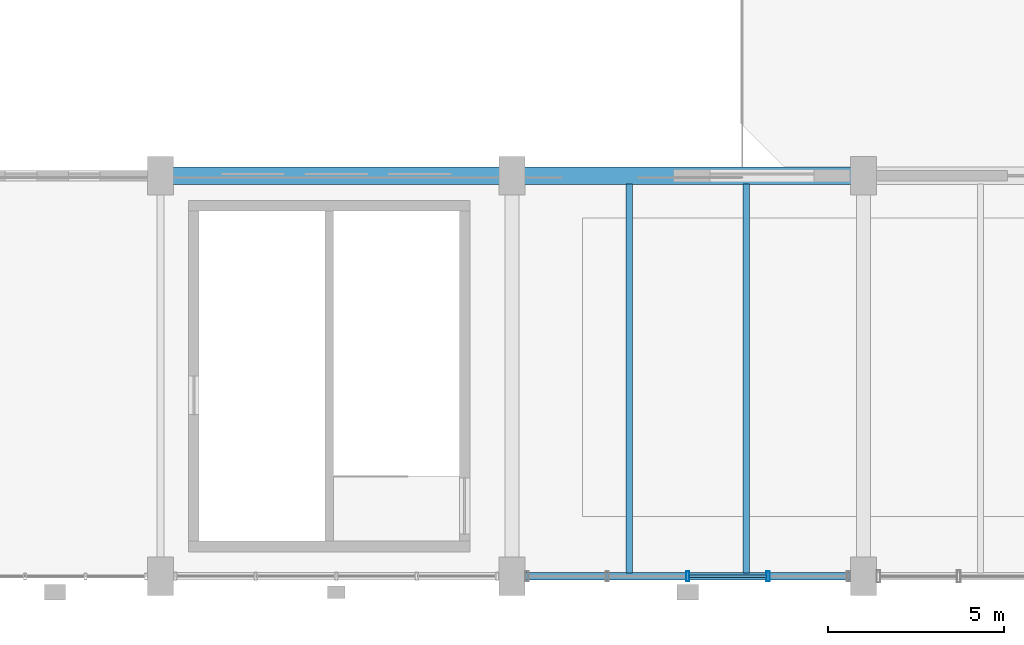
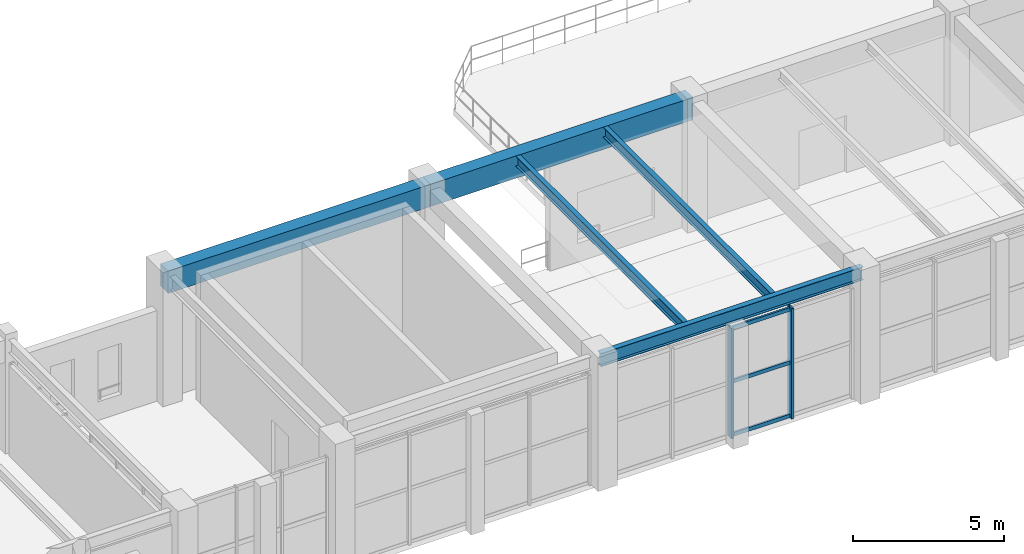
# One storey, part 21 of 106: 5 beams, 5 members, 1 element without a shape of its own.
"""IFC4 building model written with IfcOpenShell, lengths in metres."""

from ifc_helpers import new_model, si_unit, direction, frame, origin, origin_2d, place, context, subcontext, project, spatial, rectangle, hollow_rectangle, i_section, extrude, material, layer, layer_set, material_profile, profile_set, type_object, element, aggregate, save


model = new_model("IFC4")

# Units and contexts
model_context = context("Model", 3, precision=1e-05, world=origin(), true_north=direction((0.0, 1.0)))
body_context = subcontext(model_context, "Body", "Model", "MODEL_VIEW")
ifc_project = project(units=[si_unit("LENGTHUNIT", "METRE"), si_unit("AREAUNIT", "SQUARE_METRE"), si_unit("VOLUMEUNIT", "CUBIC_METRE"), si_unit("PLANEANGLEUNIT", "RADIAN"), si_unit("MASSUNIT", "GRAM", prefix="KILO"), si_unit("POWERUNIT", "WATT"), si_unit("THERMODYNAMICTEMPERATUREUNIT", "KELVIN")], contexts=[model_context])

# Site, building, storey
site_placement = place(None, origin())
site = spatial("IfcSite", under=ifc_project, at=site_placement, CompositionType="ELEMENT")
building_placement = place(site_placement, origin())
building = spatial("IfcBuilding", under=site, at=building_placement, Name="Kelmbourne Parkland Aquatics Centre", CompositionType="ELEMENT")
storey_placement = place(building_placement, frame((0.0, 0.0, 5.39990234375)))
storey = spatial("IfcBuildingStorey", under=building, at=storey_placement, Name="L01", CompositionType="ELEMENT", Elevation=5.39990234375)

# Beams
ifc_material_1 = material(Name="Concrete C40/50", Category="concrete")
ifc_material_profile_1 = material_profile(ifc_material_1, rectangle(XDim=0.5, YDim=0.89990234375, at=origin_2d()), Name="RC 500x900")
ifc_profile_set_1 = profile_set([ifc_material_profile_1], Name="Concrete C40/50")
beam_type_1 = type_object("IfcBeamType", Name="BM-G03", PredefinedType="BEAM", material=ifc_profile_set_1)
for number, where, z_axis, x_axis, name in (
    (1, (46.0, 12.199951171875, 4.710205078125), (1.0, 0.0, 0.0), (0.0, 1.0, 0.0), "Primary girder G-H Grid 03 (L02_FOY)"),
    (2, (56.0, 12.199951171875, 4.710205078125), (1.0, 0.0, 0.0), (0.0, 1.0, 0.0), "Primary girder H-I Grid 03 (L02_FOY)"),
):
    element("IfcBeam", number, at=place(storey_placement, frame(where, z_axis=z_axis, x_axis=x_axis)), inside=storey, type_object=beam_type_1, Name=name, PredefinedType="BEAM", context=body_context, shape_type="SweptSolid", body=[
        extrude(rectangle(XDim=0.5, YDim=0.89990234375, at=origin_2d()), origin(), (0.0, 0.0, 1.0), 10.0),
    ])
ifc_material_2 = material(Name="Structural steel AS/NZS 3679.1 Grade 300", Category="steel")
ifc_material_profile_2 = material_profile(ifc_material_2, i_section(OverallWidth=0.177978515625, OverallDepth=0.406005859375, WebThickness=0.0078125, FlangeThickness=0.0126953125, at=origin_2d()), Name="410UB59.7")
ifc_profile_set_2 = profile_set([ifc_material_profile_2], Name="Structural steel AS/NZS 3679.1 Grade 300")
beam_type_2 = type_object("IfcBeamType", Name="BM-J01", PredefinedType="JOIST", material=ifc_profile_set_2)
for number, where, z_axis, x_axis, name in (
    (3, (59.333251953125, 0.896484375, 4.95703125), (0.0, 1.0, 0.0), (-1.0, 0.0, 0.0), "Secondary floor joist H-I/01-03 #1 (L02_FOY)"),
    (4, (62.666748046875, 0.896484375, 4.95703125), (0.0, 1.0, 0.0), (-1.0, 0.0, 0.0), "Secondary floor joist H-I/01-03 #2 (L02_FOY)"),
):
    element("IfcBeam", number, at=place(storey_placement, frame(where, z_axis=z_axis, x_axis=x_axis)), inside=storey, type_object=beam_type_2, Name=name, PredefinedType="JOIST", context=body_context, shape_type="SweptSolid", body=[
        extrude(i_section(OverallWidth=0.177978515625, OverallDepth=0.406005859375, WebThickness=0.0078125, FlangeThickness=0.0126953125, at=origin_2d()), origin(), (0.0, 0.0, 1.0), 11.0615234375),
    ])
ifc_material_profile_3 = material_profile(ifc_material_2, i_section(OverallWidth=0.208984375, OverallDepth=0.532958984375, WebThickness=0.01025390625, FlangeThickness=0.015625, at=origin_2d()), Name="530UB92.4")
ifc_profile_set_3 = profile_set([ifc_material_profile_3], Name="Structural steel AS/NZS 3679.1 Grade 300")
beam_type_3 = type_object("IfcBeamType", Name="BM-SP02", PredefinedType="SPANDREL", material=ifc_profile_set_3)
beam_placement = place(storey_placement, frame((56.0, 0.800048828125, 4.8935546875), z_axis=(1.0, 0.0, 0.0), x_axis=(0.0, 1.0, 0.0)))
element("IfcBeam", 5, at=beam_placement, inside=storey, type_object=beam_type_3, Name="Perimeter spandrel H-I Grid 01 (L02_FOY)", PredefinedType="SPANDREL", context=body_context, shape_type="SweptSolid", body=[
    extrude(i_section(OverallWidth=0.208984375, OverallDepth=0.532958984375, WebThickness=0.01025390625, FlangeThickness=0.015625, at=origin_2d()), origin(), (0.0, 0.0, 1.0), 10.0),
])

# Curtain wall, members
ifc_material_3 = material(Name="Thermally broken anodised aluminium framing", Category="aluminium")
ifc_layer = layer(ifc_material_3, 0.179931640625)
ifc_layer_set = layer_set([ifc_layer], Name="Thermally broken anodised aluminium framing")
curtain_wall_type = type_object("IfcCurtainWallType", Name="CW-19", PredefinedType="NOTDEFINED", material=ifc_layer_set)
curtain_wall_placement = place(storey_placement, origin())
curtain_wall = element("IfcCurtainWall", 6, at=curtain_wall_placement, inside=storey, type_object=curtain_wall_type, Name="Facade curtain wall CW-L01-163", PredefinedType="NOTDEFINED")
ifc_material_profile_4 = material_profile(ifc_material_3, hollow_rectangle(XDim=0.094970703125, YDim=0.280029296875, WallThickness=0.005615234375, at=origin_2d()), Name="CW-M 95x280")
ifc_profile_set_4 = profile_set([ifc_material_profile_4], Name="Thermally broken anodised aluminium framing")
member_type_1 = type_object("IfcMemberType", Name="MB-MUL-4", PredefinedType="MULLION", material=ifc_profile_set_4)
member_1_placement = place(storey_placement, frame((61.0, 0.800048828125, 0.0), z_axis=(0.0, 0.0, 1.0), x_axis=(1.0, 0.0, 0.0)))
member_1 = element("IfcMember", 7, at=member_1_placement, type_object=member_type_1, Name="CW-L01-163 mullion 2", PredefinedType="MULLION", context=body_context, shape_type="SweptSolid", body=[
    extrude(hollow_rectangle(XDim=0.094970703125, YDim=0.280029296875, WallThickness=0.005615234375, at=origin_2d()), origin(), (0.0, 0.0, 1.0), 4.445068359375),
])
member_2_placement = place(storey_placement, frame((63.287841796875, 0.800048828125, 0.0), z_axis=(0.0, 0.0, 1.0), x_axis=(1.0, 0.0, 0.0)))
member_2 = element("IfcMember", 8, at=member_2_placement, type_object=member_type_1, Name="CW-L01-163 mullion 3", PredefinedType="MULLION", context=body_context, shape_type="SweptSolid", body=[
    extrude(hollow_rectangle(XDim=0.094970703125, YDim=0.280029296875, WallThickness=0.005615234375, at=origin_2d()), origin(), (0.0, 0.0, 1.0), 4.445068359375),
])
ifc_material_profile_5 = material_profile(ifc_material_3, hollow_rectangle(XDim=0.074951171875, YDim=0.14990234375, WallThickness=0.00390625, at=origin_2d()), Name="CW-T 75x150")
ifc_profile_set_5 = profile_set([ifc_material_profile_5], Name="Thermally broken anodised aluminium framing")
member_type_2 = type_object("IfcMemberType", Name="MB-TRN-2", PredefinedType="USERDEFINED", material=ifc_profile_set_5)
member_3_placement = place(storey_placement, frame((61.04345703125, 0.800048828125, 0.078125), z_axis=(1.0, 0.0, 0.0), x_axis=(0.0, 1.0, 0.0)))
member_3 = element("IfcMember", 9, at=member_3_placement, type_object=member_type_2, Name="CW-L01-163 transom 0-2", ObjectType="TRANSOM", PredefinedType="USERDEFINED", context=body_context, shape_type="SweptSolid", body=[
    extrude(hollow_rectangle(XDim=0.074951171875, YDim=0.14990234375, WallThickness=0.00390625, at=origin_2d()), origin(), (0.0, 0.0, 1.0), 2.200927734375),
])
member_4_placement = place(storey_placement, frame((61.04345703125, 0.800048828125, 2.22265625), z_axis=(1.0, 0.0, 0.0), x_axis=(0.0, 1.0, 0.0)))
member_4 = element("IfcMember", 10, at=member_4_placement, type_object=member_type_2, Name="CW-L01-163 transom 1-2", ObjectType="TRANSOM", PredefinedType="USERDEFINED", context=body_context, shape_type="SweptSolid", body=[
    extrude(hollow_rectangle(XDim=0.074951171875, YDim=0.14990234375, WallThickness=0.00390625, at=origin_2d()), origin(), (0.0, 0.0, 1.0), 2.200927734375),
])
member_5_placement = place(storey_placement, frame((61.04345703125, 0.800048828125, 4.3671875), z_axis=(1.0, 0.0, 0.0), x_axis=(0.0, 1.0, 0.0)))
member_5 = element("IfcMember", 11, at=member_5_placement, type_object=member_type_2, Name="CW-L01-163 transom 2-2", ObjectType="TRANSOM", PredefinedType="USERDEFINED", context=body_context, shape_type="SweptSolid", body=[
    extrude(hollow_rectangle(XDim=0.074951171875, YDim=0.14990234375, WallThickness=0.00390625, at=origin_2d()), origin(), (0.0, 0.0, 1.0), 2.200927734375),
])
aggregate(curtain_wall, [member_1, member_2, member_3, member_4, member_5])

save(model, "model.ifc")
